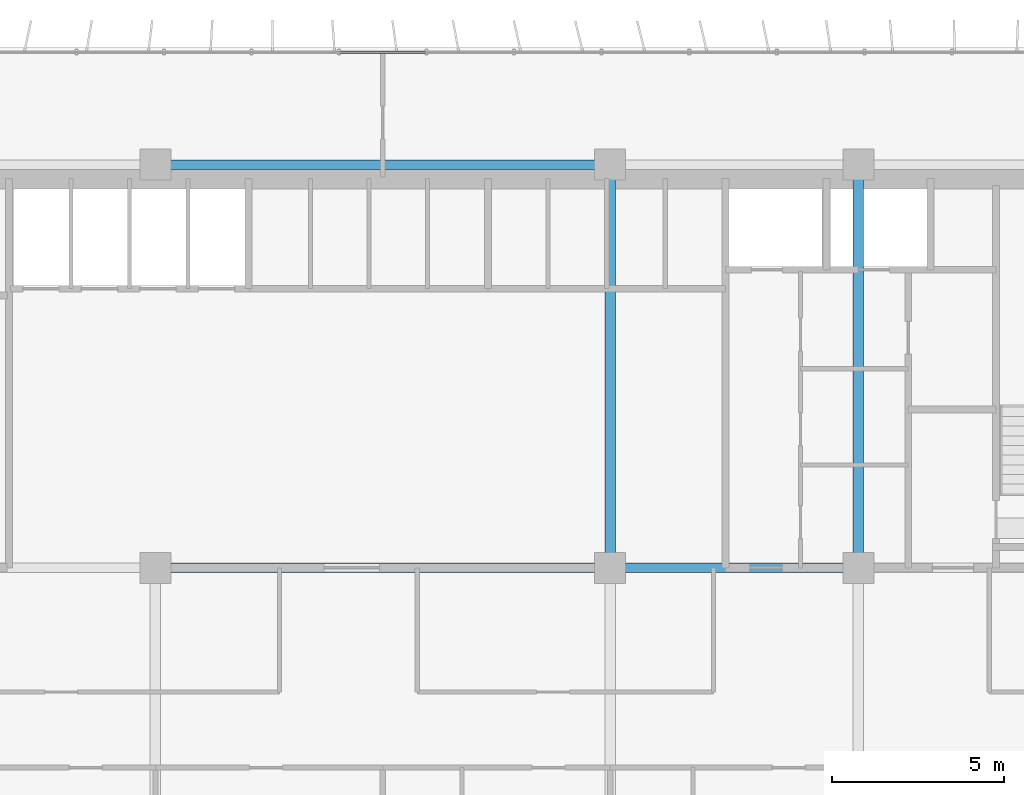
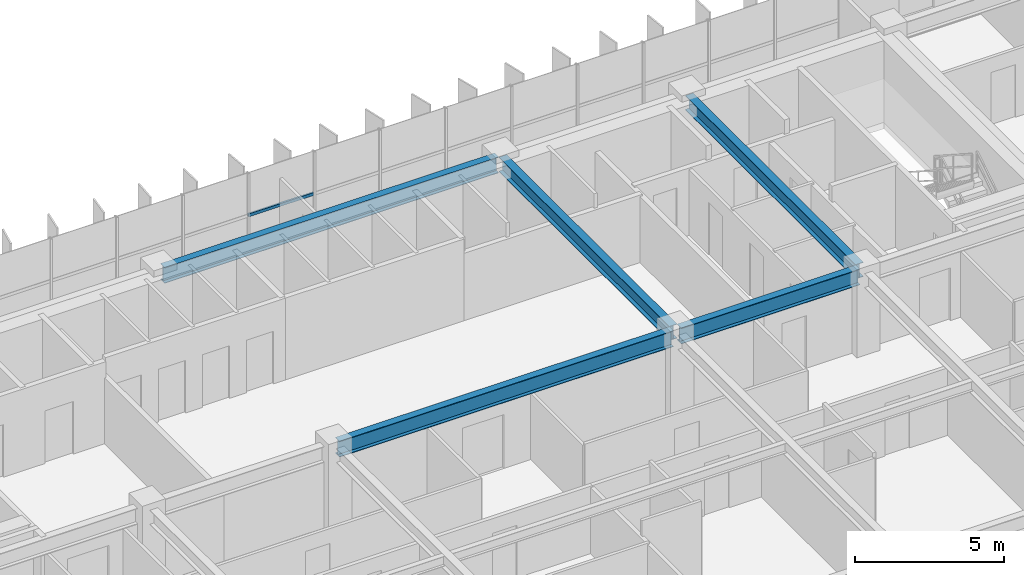
# One storey, part 9 of 24: 5 beams, 1 member, 1 element without a shape of its own.
"""IFC4 building model written with IfcOpenShell, lengths in metres."""

import ifcopenshell
import ifcopenshell.guid

model = None  # the IFC model being written
_history = None  # IfcOwnerHistory: only IFC2X3 demands one
_inside = {}  # id of a spatial element -> (the spatial element, [elements in it])
_under = {}  # id of a project, library or spatial element -> (it, [spatial elements below it])
_declared = {}  # id of a project -> (the project, [libraries it declares])
_typed = {}  # id of a type object -> (the type object, [elements of that type])
_made_of = {}  # id of a material, layer set ... -> (it, [elements and type objects made of it])


def new_model(schema):
    """Start an empty IFC model of exactly this schema.

    Asked for "IFC4X3", IfcOpenShell would pick the latest addendum, in which some entities
    have other attributes; the version numbers below select the first issue.
    IFC2X3 requires an IfcOwnerHistory on every rooted entity: one is made here for all.
    """
    global model, _history
    if schema == "IFC4X3":
        model = ifcopenshell.file(schema_version=(4, 3, 0, 0))
    else:
        model = ifcopenshell.file(schema=schema)
    _inside.clear()
    _under.clear()
    _declared.clear()
    _typed.clear()
    _made_of.clear()
    _history = None
    if model.schema == "IFC2X3":
        org = make("IfcOrganization", Name="unknown")
        user = make(
            "IfcPersonAndOrganization",
            ThePerson=make("IfcPerson", FamilyName="unknown"),
            TheOrganization=org,
        )
        app = make(
            "IfcApplication",
            ApplicationDeveloper=org,
            Version="unknown",
            ApplicationFullName="unknown",
            ApplicationIdentifier="unknown",
        )
        _history = make(
            "IfcOwnerHistory",
            OwningUser=user,
            OwningApplication=app,
            ChangeAction="ADDED",
            CreationDate=0,
        )
    return model


def make(cls, **values):
    """One entity of the class cls with the attributes given. An attribute that is None is left unset."""
    return model.create_entity(
        cls, **{name: value for name, value in values.items() if value is not None}
    )


def rooted(cls, **values):
    """An entity with a GlobalId (a new one), such as an element, a storey or a relation."""
    return make(cls, GlobalId=ifcopenshell.guid.new(), OwnerHistory=_history, **values)


def si_unit(unit_type, name, prefix=None):
    """IfcSIUnit, for example si_unit("LENGTHUNIT", "METRE", prefix="MILLI")."""
    return make("IfcSIUnit", UnitType=unit_type, Prefix=prefix, Name=name)


def assignment(units):
    """IfcUnitAssignment: the units of a project."""
    return None if units is None else make("IfcUnitAssignment", Units=units)


def point(xyz):
    """IfcCartesianPoint."""
    return None if xyz is None else make("IfcCartesianPoint", Coordinates=xyz)


def direction(xyz):
    """IfcDirection."""
    return None if xyz is None else make("IfcDirection", DirectionRatios=xyz)


def frame(location, z_axis=None, x_axis=None):
    """IfcAxis2Placement3D, a coordinate frame: its origin and axes. An axis left out is left unset."""
    return make(
        "IfcAxis2Placement3D",
        Location=point(location),
        Axis=direction(z_axis),
        RefDirection=direction(x_axis),
    )


def frame_2d(location, x_axis=None):
    """IfcAxis2Placement2D, a coordinate frame in the plane: its origin and x axis."""
    return make(
        "IfcAxis2Placement2D", Location=point(location), RefDirection=direction(x_axis)
    )


def origin():
    """The frame at (0, 0, 0) with its axes left unset."""
    return frame((0.0, 0.0, 0.0))


def origin_2d():
    """The frame at (0, 0) in the plane with its x axis left unset."""
    return frame_2d((0.0, 0.0))


def place(relative_to, where):
    """IfcLocalPlacement: puts the frame where relative to a parent placement (None: the world)."""
    return make(
        "IfcLocalPlacement", PlacementRelTo=relative_to, RelativePlacement=where
    )


def context(
    kind, dimensions, precision=None, world=None, true_north=None, identifier=None
):
    """IfcGeometricRepresentationContext, for example the 3D "Model" context."""
    return make(
        "IfcGeometricRepresentationContext",
        ContextIdentifier=identifier,
        ContextType=kind,
        CoordinateSpaceDimension=dimensions,
        Precision=precision,
        WorldCoordinateSystem=world,
        TrueNorth=true_north,
    )


def subcontext(parent, identifier, kind, view, scale=None):
    """IfcGeometricRepresentationSubContext, for example "Body" below "Model"."""
    return make(
        "IfcGeometricRepresentationSubContext",
        ContextIdentifier=identifier,
        ContextType=kind,
        ParentContext=parent,
        TargetScale=scale,
        TargetView=view,
    )


def project(units=None, contexts=None):
    """IfcProject with its units and contexts."""
    return rooted(
        "IfcProject",
        Name="project",
        RepresentationContexts=contexts,
        UnitsInContext=assignment(units),
    )


def spatial(cls, under=None, at=None, **own):
    """A site, building, storey or space (cls), placed at a placement, below another one or the project."""
    s = rooted(cls, ObjectPlacement=at, **own)
    if under is not None:
        _under.setdefault(under.id(), (under, []))[1].append(s)
    return s


def profile(cls, at=None, kind="AREA", **sizes):
    """A parametric profile (cls). Its sizes go by their IFC names, for example OverallWidth=200.0."""
    return make(cls, ProfileType=kind, Position=at, **sizes)


def hollow_rectangle(**sizes):
    """IfcRectangleHollowProfileDef."""
    return profile("IfcRectangleHollowProfileDef", **sizes)


def i_section(**sizes):
    """IfcIShapeProfileDef."""
    return profile("IfcIShapeProfileDef", **sizes)


def extrude(swept, where, along, depth):
    """IfcExtrudedAreaSolid: the profile swept, set in the frame where, extruded along a direction by depth."""
    return make(
        "IfcExtrudedAreaSolid",
        SweptArea=swept,
        Position=where,
        ExtrudedDirection=direction(along),
        Depth=depth,
    )


def shape(context_of_items, identifier, shape_type, items):
    """IfcShapeRepresentation: the items that make up one representation, for example the "Body"."""
    return make(
        "IfcShapeRepresentation",
        ContextOfItems=context_of_items,
        RepresentationIdentifier=identifier,
        RepresentationType=shape_type,
        Items=items,
    )


def source(mapping_origin, context_of_items, identifier, shape_type, items):
    """IfcRepresentationMap: a shape defined once, which mapped items show again and again."""
    return make(
        "IfcRepresentationMap",
        MappingOrigin=mapping_origin,
        MappedRepresentation=shape(context_of_items, identifier, shape_type, items),
    )


def transform(
    local_origin,
    x_axis=None,
    y_axis=None,
    z_axis=None,
    scale=None,
    scale2=None,
    scale3=None,
    uniform=True,
):
    """IfcCartesianTransformationOperator3D, or its non-uniform kind. x_axis, y_axis, z_axis: its Axis1, 2, 3."""
    if uniform:
        return make(
            "IfcCartesianTransformationOperator3D",
            Axis1=direction(x_axis),
            Axis2=direction(y_axis),
            LocalOrigin=point(local_origin),
            Scale=scale,
            Axis3=direction(z_axis),
        )
    return make(
        "IfcCartesianTransformationOperator3DnonUniform",
        Axis1=direction(x_axis),
        Axis2=direction(y_axis),
        LocalOrigin=point(local_origin),
        Scale=scale,
        Axis3=direction(z_axis),
        Scale2=scale2,
        Scale3=scale3,
    )


def mapped(mapping_source, mapping_target):
    """IfcMappedItem: shows the shape of a source again, moved by a transform."""
    return make(
        "IfcMappedItem", MappingSource=mapping_source, MappingTarget=mapping_target
    )


def material(Name=None, Category=None):
    """IfcMaterial."""
    return make("IfcMaterial", Name=Name, Category=Category)


def material_profile(
    of_material, cross_section, Name=None, Category=None, Priority=None
):
    """IfcMaterialProfile: a cross section and its material."""
    return make(
        "IfcMaterialProfile",
        Name=Name,
        Material=of_material,
        Profile=cross_section,
        Priority=Priority,
        Category=Category,
    )


def profile_set(profiles, Name=None, composite=None):
    """IfcMaterialProfileSet."""
    return make(
        "IfcMaterialProfileSet",
        Name=Name,
        MaterialProfiles=profiles,
        CompositeProfile=composite,
    )


def made_of(thing, what):
    """Note that an element or type object is made of a material, layer set ...; save() writes the relation."""
    if what is not None:
        _made_of.setdefault(what.id(), (what, []))[1].append(thing)
    return thing


def type_object(cls, material=None, **own):
    """A type object (cls), such as IfcWallType, which elements share."""
    return made_of(rooted(cls, **own), material)


def element(
    cls,
    number,
    at=None,
    inside=None,
    cuts=None,
    type_object=None,
    material=None,
    context=None,
    identifier="Body",
    shape_type=None,
    held_by="IfcProductDefinitionShape",
    body=None,
    shapes=None,
    **own,
):
    """One element of the class cls, such as IfcWall. Its Tag is "e" and its number.

    at: its placement. inside: the storey or other place that contains it. cuts: it is an
    opening in that element (IfcRelVoidsElement). A single representation is given by context,
    identifier, shape_type and body (its items); several are given by shapes. held_by: the class
    of the entity that holds the representations. save() writes the other relations.
    """
    e = rooted(cls, Tag="e%d" % number, ObjectPlacement=at, **own)
    if body is not None:
        shapes = [shape(context, identifier, shape_type, body)]
    if shapes is not None:
        e.Representation = make(held_by, Representations=shapes)
    if inside is not None:
        _inside.setdefault(inside.id(), (inside, []))[1].append(e)
    if cuts is not None:
        rooted(
            "IfcRelVoidsElement", RelatingBuildingElement=cuts, RelatedOpeningElement=e
        )
    if type_object is not None:
        _typed.setdefault(type_object.id(), (type_object, []))[1].append(e)
    return made_of(e, material)


def aggregate(whole, parts):
    """IfcRelAggregates: a whole, such as a stair, and the parts it consists of."""
    return rooted("IfcRelAggregates", RelatingObject=whole, RelatedObjects=parts)


def save(model, path):
    """Write the relations noted so far, then the file.

    IfcRelAggregates (storeys below a building ...), IfcRelContainedInSpatialStructure (elements
    in a storey), IfcRelDefinesByType, IfcRelAssociatesMaterial and IfcRelDeclares: one each for
    every whole, place, type object, material and project.
    """
    for whole, parts in _under.values():
        aggregate(whole, parts)
    for where, things in _inside.values():
        rooted(
            "IfcRelContainedInSpatialStructure",
            RelatedElements=things,
            RelatingStructure=where,
        )
    for kind, things in _typed.values():
        rooted("IfcRelDefinesByType", RelatedObjects=things, RelatingType=kind)
    for what, things in _made_of.values():
        rooted("IfcRelAssociatesMaterial", RelatedObjects=things, RelatingMaterial=what)
    for by, libraries in _declared.values():
        rooted("IfcRelDeclares", RelatingContext=by, RelatedDefinitions=libraries)
    model.write(path)


model = new_model("IFC4")

# Units and contexts
model_context = context("Model", 3, precision=1e-05, world=origin(), true_north=direction((0.0, 1.0)))
body_context = subcontext(model_context, "Body", "Model", "MODEL_VIEW")
ifc_project = project(units=[si_unit("LENGTHUNIT", "METRE"), si_unit("AREAUNIT", "SQUARE_METRE"), si_unit("VOLUMEUNIT", "CUBIC_METRE"), si_unit("PLANEANGLEUNIT", "RADIAN"), si_unit("MASSUNIT", "GRAM", prefix="KILO")], contexts=[model_context])

# Site, building, storey
site_placement = place(None, origin())
site = spatial("IfcSite", under=ifc_project, at=site_placement, CompositionType="ELEMENT")
building_placement = place(site_placement, origin())
building = spatial("IfcBuilding", under=site, at=building_placement, Name="Trelvane Seafront Commons", CompositionType="ELEMENT")
storey_placement = place(building_placement, frame((0.0, 0.0, 30.699951171875)))
storey = spatial("IfcBuildingStorey", under=building, at=storey_placement, Name="L07", CompositionType="ELEMENT", Elevation=30.699951171875)

# Beams
ifc_material_1 = material(Name="Steel SM355 (S355)", Category="steel")
ifc_material_profile_1 = material_profile(ifc_material_1, i_section(OverallWidth=0.280029296875, OverallDepth=0.64990234375, WebThickness=0.012939453125, FlangeThickness=0.02197265625, at=origin_2d()), Name="H-650x280x13x22")
ifc_profile_set_1 = profile_set([ifc_material_profile_1], Name="Steel SM355 (S355)")
beam_type_1 = type_object("IfcBeamType", Name="STR-BM-H650", PredefinedType="BEAM", material=ifc_profile_set_1)
shared_shape_1 = source(origin(), body_context, "Body", "SweptSolid", [
    extrude(i_section(OverallWidth=0.280029296875, OverallDepth=0.64990234375, WebThickness=0.012939453125, FlangeThickness=0.02197265625, at=origin_2d()), origin(), (0.0, 0.0, 1.0), 12.89990234375),
])
for number, where, z_axis, x_axis, name in (
    (1, (30.75, 33.39990234375, 3.01513671875), (1.0, 0.0, 0.0), (0.0, 1.0, 0.0), "L07 Primary Girder G-23"),
    (2, (30.75, 45.10009765625, 3.01513671875), (1.0, 0.0, 0.0), (0.0, 1.0, 0.0), "L07 Primary Girder G-32"),
):
    element("IfcBeam", number, at=place(storey_placement, frame(where, z_axis=z_axis, x_axis=x_axis)), inside=storey, type_object=beam_type_1, Name=name, PredefinedType="BEAM", context=body_context, shape_type="MappedRepresentation", body=[
        mapped(shared_shape_1, transform((0.0, 0.0, 0.0), x_axis=(1.0, 0.0, 0.0), y_axis=(0.0, 1.0, 0.0), z_axis=(0.0, 0.0, 1.0), scale=1.0)),
    ])
shared_shape_2 = source(origin(), body_context, "Body", "SweptSolid", [
    extrude(i_section(OverallWidth=0.280029296875, OverallDepth=0.64990234375, WebThickness=0.012939453125, FlangeThickness=0.02197265625, at=origin_2d()), origin(), (0.0, 0.0, 1.0), 6.900146484375),
])
beam_placement = place(storey_placement, frame((43.949951171875, 33.39990234375, 3.01513671875), z_axis=(1.0, 0.0, 0.0), x_axis=(0.0, 1.0, 0.0)))
element("IfcBeam", 3, at=beam_placement, inside=storey, type_object=beam_type_1, Name="L07 Primary Girder G-24", PredefinedType="BEAM", context=body_context, shape_type="MappedRepresentation", body=[
    mapped(shared_shape_2, transform((0.0, 0.0, 0.0), x_axis=(1.0, 0.0, 0.0), y_axis=(0.0, 1.0, 0.0), z_axis=(0.0, 0.0, 1.0), scale=1.0)),
])
ifc_material_profile_2 = material_profile(ifc_material_1, i_section(OverallWidth=0.300048828125, OverallDepth=0.587890625, WebThickness=0.011962890625, FlangeThickness=0.02001953125, at=origin_2d()), Name="H-588x300x12x20")
ifc_profile_set_2 = profile_set([ifc_material_profile_2], Name="Steel SM355 (S355)")
beam_type_2 = type_object("IfcBeamType", Name="STR-BM-H588", PredefinedType="BEAM", material=ifc_profile_set_2)
shared_shape_3 = source(origin(), body_context, "Body", "SweptSolid", [
    extrude(i_section(OverallWidth=0.300048828125, OverallDepth=0.587890625, WebThickness=0.011962890625, FlangeThickness=0.02001953125, at=origin_2d()), origin(), (0.0, 0.0, 1.0), 11.39990234375),
])
for number, where, z_axis, x_axis, name in (
    (4, (43.800048828125, 33.550048828125, 3.046142578125), (0.0, 1.0, 0.0), (-1.0, 0.0, 0.0), "L07 Primary Girder G-54"),
    (5, (51.0, 33.550048828125, 3.046142578125), (0.0, 1.0, 0.0), (-1.0, 0.0, 0.0), "L07 Primary Girder G-57"),
):
    element("IfcBeam", number, at=place(storey_placement, frame(where, z_axis=z_axis, x_axis=x_axis)), inside=storey, type_object=beam_type_2, Name=name, PredefinedType="BEAM", context=body_context, shape_type="MappedRepresentation", body=[
        mapped(shared_shape_3, transform((0.0, 0.0, 0.0), x_axis=(1.0, 0.0, 0.0), y_axis=(0.0, 1.0, 0.0), z_axis=(0.0, 0.0, 1.0), scale=1.0)),
    ])

# Curtain wall, member
ifc_material_2 = material(Name="Anodised pale-silver aluminium", Category="aluminium")
curtain_wall_type = type_object("IfcCurtainWallType", Name="ARCH-CW2-LOWTOWER", PredefinedType="NOTDEFINED", material=ifc_material_2)
curtain_wall_placement = place(storey_placement, origin())
curtain_wall = element("IfcCurtainWall", 6, at=curtain_wall_placement, inside=storey, type_object=curtain_wall_type, Name="CW-L07-0031", PredefinedType="NOTDEFINED")
ifc_material_profile_3 = material_profile(ifc_material_2, hollow_rectangle(XDim=0.070068359375, YDim=0.1201171875, WallThickness=0.00390625, at=origin_2d()), Name="TRAN-70x120x4")
ifc_profile_set_3 = profile_set([ifc_material_profile_3], Name="Anodised pale-silver aluminium")
member_type = type_object("IfcMemberType", Name="ARCH-CW-TRAN-120", PredefinedType="USERDEFINED", material=ifc_profile_set_3)
shared_shape_4 = source(origin(), body_context, "Body", "SweptSolid", [
    extrude(hollow_rectangle(XDim=0.070068359375, YDim=0.1201171875, WallThickness=0.00390625, at=origin_2d()), origin(), (0.0, 0.0, 1.0), 2.51708984375),
])
member_placement = place(storey_placement, frame((35.94140625, 48.3701171875, 1.60302734375), z_axis=(1.0, 0.0, 0.0), x_axis=(0.0, 1.0, 0.0)))
member = element("IfcMember", 7, at=member_placement, type_object=member_type, Name="CW-L07-0031-T08", ObjectType="TRANSOM", PredefinedType="USERDEFINED", context=body_context, shape_type="MappedRepresentation", body=[
    mapped(shared_shape_4, transform((0.0, 0.0, 0.0), x_axis=(1.0, 0.0, 0.0), y_axis=(0.0, 1.0, 0.0), z_axis=(0.0, 0.0, 1.0), scale=1.0)),
])
aggregate(curtain_wall, [member])

save(model, "model.ifc")
